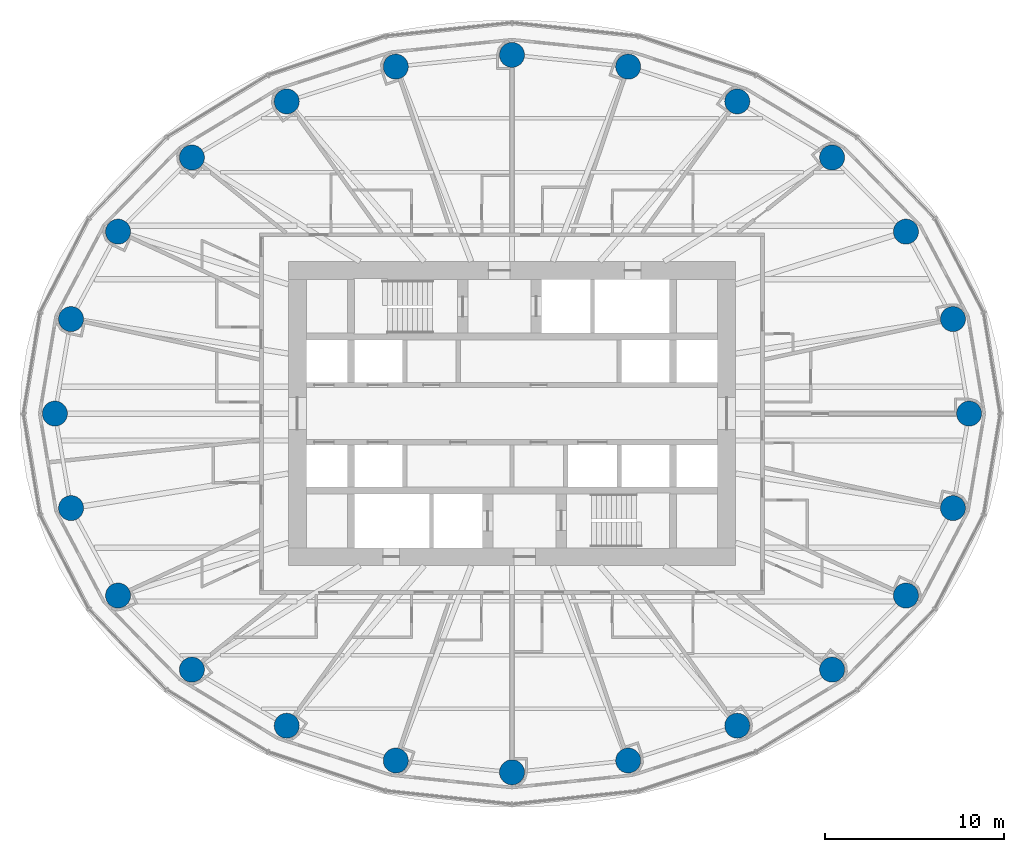
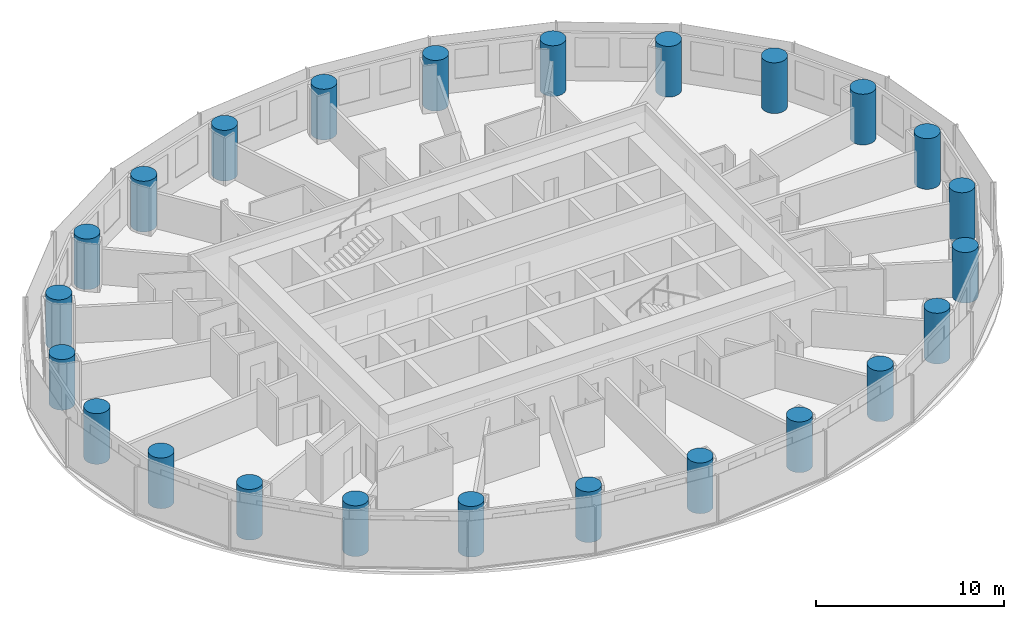
# One storey, part 1 of 14: 24 columns.
"""IFC4 building model written with IfcOpenShell, lengths in metres."""

from ifc_helpers import new_model, si_unit, direction, frame, origin, origin_2d, place, context, subcontext, project, spatial, circle, extrude, material, material_profile, profile_set, type_object, element, save


model = new_model("IFC4")

# Units and contexts
model_context = context("Model", 3, precision=1e-05, world=origin(), true_north=direction((0.0, 1.0)))
body_context = subcontext(model_context, "Body", "Model", "MODEL_VIEW")
ifc_project = project(units=[si_unit("LENGTHUNIT", "METRE"), si_unit("AREAUNIT", "SQUARE_METRE"), si_unit("VOLUMEUNIT", "CUBIC_METRE"), si_unit("PLANEANGLEUNIT", "RADIAN"), si_unit("MASSUNIT", "GRAM", prefix="KILO")], contexts=[model_context])

# Site, building, storey
site_placement = place(None, origin())
site = spatial("IfcSite", under=ifc_project, at=site_placement, CompositionType="ELEMENT")
building_placement = place(site_placement, origin())
building = spatial("IfcBuilding", under=site, at=building_placement, Name="Hankou Lantern Tower", CompositionType="ELEMENT")
storey_placement = place(building_placement, frame((0.0, 0.0, 67.199951171875)))
storey = spatial("IfcBuildingStorey", under=building, at=storey_placement, Name="L16", CompositionType="ELEMENT", Elevation=67.199951171875)

# Columns
ifc_material = material(Name="Concrete C60", Category="concrete")
ifc_material_profile = material_profile(ifc_material, circle(Radius=0.699951171875, at=origin_2d()), Name="RC D1400")
ifc_profile_set = profile_set([ifc_material_profile], Name="Concrete C60")
column_type = type_object("IfcColumnType", Name="TC2 PERIMETER COLUMN RC D1400", PredefinedType="COLUMN", material=ifc_profile_set)
for number, where, z_axis, x_axis, name in (
    (1, (25.550048828125, 0.0, 0.0), (0.0, 0.0, 1.0), (1.0, 0.0, 0.0), "Column R01 L16"),
    (2, (24.64697265625, 5.283203125, 0.0), (0.0, 0.0, 1.0), (1.0, 0.0, 0.0), "Column R02 L16"),
    (3, (22.01904296875, 10.170166015625, 0.0), (0.0, 0.0, 1.0), (1.0, 0.0, 0.0), "Column R03 L16"),
    (4, (17.891845703125, 14.3134765625, 0.0), (0.0, 0.0, 1.0), (1.0, 0.0, 0.0), "Column R04 L16"),
    (5, (12.5908203125, 17.446533203125, 0.0), (0.0, 0.0, 1.0), (1.0, 0.0, 0.0), "Column R05 L16"),
    (6, (6.494873046875, 19.391357421875, 0.0), (0.0, 0.0, 1.0), (1.0, 0.0, 0.0), "Column R06 L16"),
    (7, (0.0, 20.050048828125, 0.0), (0.0, 0.0, 1.0), (1.0, 0.0, 0.0), "Column R07 L16"),
    (8, (-6.494873046875, 19.391357421875, 0.0), (0.0, 0.0, 1.0), (1.0, 0.0, 0.0), "Column R08 L16"),
    (9, (-12.5908203125, 17.446533203125, 0.0), (0.0, 0.0, 1.0), (1.0, 0.0, 0.0), "Column R09 L16"),
    (10, (-17.891845703125, 14.3134765625, 0.0), (0.0, 0.0, 1.0), (1.0, 0.0, 0.0), "Column R10 L16"),
    (11, (-22.01904296875, 10.170166015625, 0.0), (0.0, 0.0, 1.0), (1.0, 0.0, 0.0), "Column R11 L16"),
    (12, (-24.64697265625, 5.283203125, 0.0), (0.0, 0.0, 1.0), (1.0, 0.0, 0.0), "Column R12 L16"),
    (13, (-25.550048828125, 0.0, 0.0), (0.0, 0.0, 1.0), (1.0, 0.0, 0.0), "Column R13 L16"),
    (14, (-24.64697265625, -5.283203125, 0.0), (0.0, 0.0, 1.0), (1.0, 0.0, 0.0), "Column R14 L16"),
    (15, (-22.01904296875, -10.170166015625, 0.0), (0.0, 0.0, 1.0), (1.0, 0.0, 0.0), "Column R15 L16"),
    (16, (-17.891845703125, -14.3134765625, 0.0), (0.0, 0.0, 1.0), (1.0, 0.0, 0.0), "Column R16 L16"),
    (17, (-12.5908203125, -17.446533203125, 0.0), (0.0, 0.0, 1.0), (1.0, 0.0, 0.0), "Column R17 L16"),
    (18, (-6.494873046875, -19.391357421875, 0.0), (0.0, 0.0, 1.0), (1.0, 0.0, 0.0), "Column R18 L16"),
    (19, (0.0, -20.050048828125, 0.0), (0.0, 0.0, 1.0), (1.0, 0.0, 0.0), "Column R19 L16"),
    (20, (6.494873046875, -19.391357421875, 0.0), (0.0, 0.0, 1.0), (1.0, 0.0, 0.0), "Column R20 L16"),
    (21, (12.5908203125, -17.446533203125, 0.0), (0.0, 0.0, 1.0), (1.0, 0.0, 0.0), "Column R21 L16"),
    (22, (17.891845703125, -14.3134765625, 0.0), (0.0, 0.0, 1.0), (1.0, 0.0, 0.0), "Column R22 L16"),
    (23, (22.01904296875, -10.170166015625, 0.0), (0.0, 0.0, 1.0), (1.0, 0.0, 0.0), "Column R23 L16"),
    (24, (24.64697265625, -5.283203125, 0.0), (0.0, 0.0, 1.0), (1.0, 0.0, 0.0), "Column R24 L16"),
):
    element("IfcColumn", number, at=place(storey_placement, frame(where, z_axis=z_axis, x_axis=x_axis)), inside=storey, type_object=column_type, Name=name, PredefinedType="COLUMN", context=body_context, shape_type="SweptSolid", body=[
        extrude(circle(Radius=0.699951171875, at=origin_2d()), origin(), (0.0, 0.0, 1.0), 3.300048828125),
    ])

save(model, "model.ifc")
